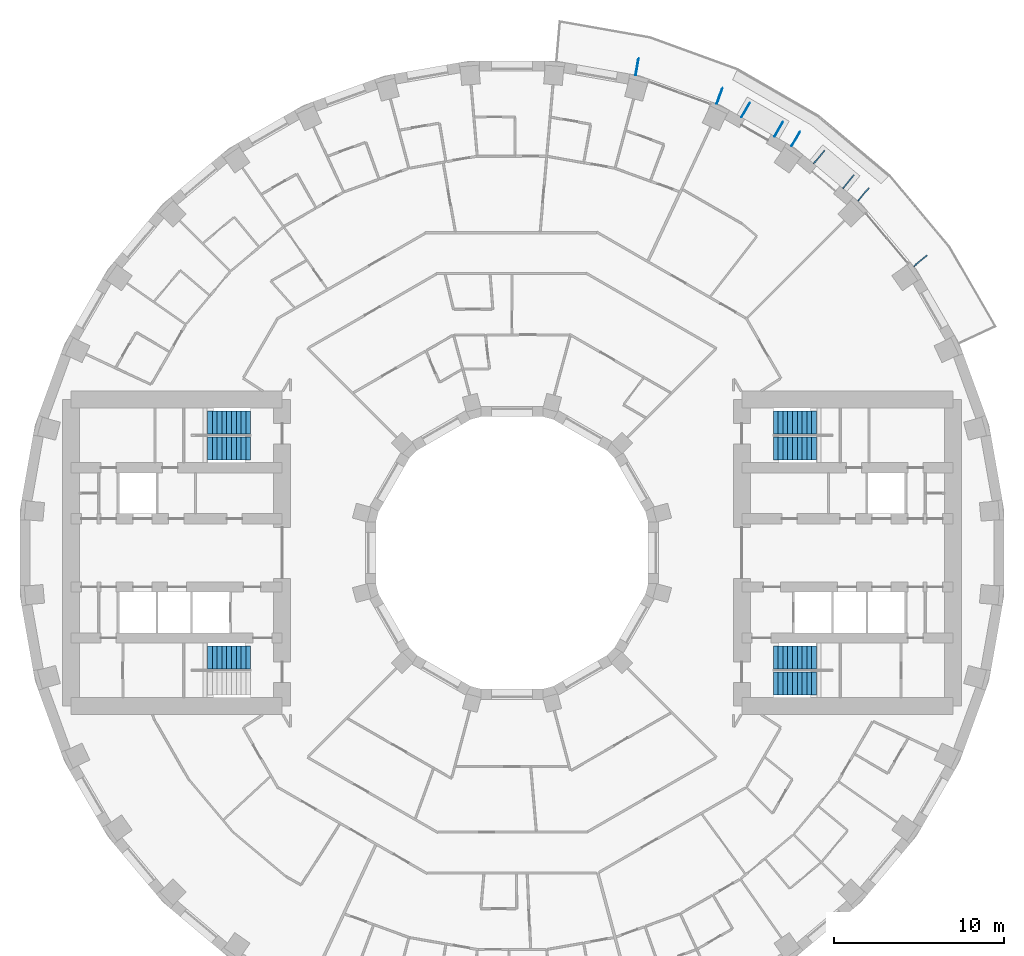
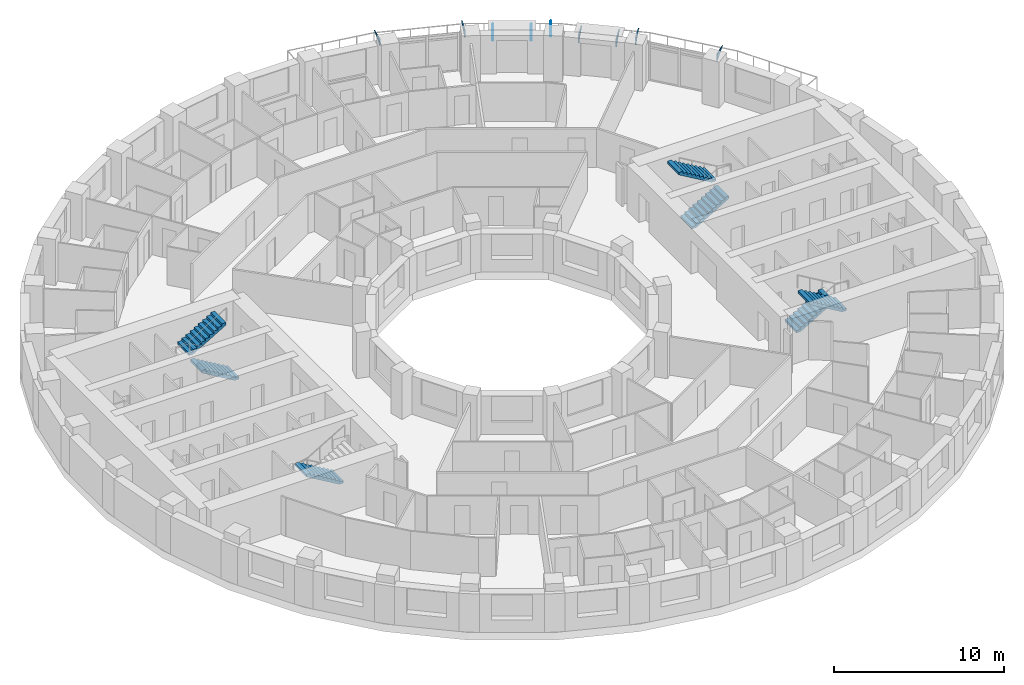
# One storey, part 14 of 15: 9 discrete accessories, 7 stair flights, 4 elements without a shape of their own.
"""IFC4 building model written with IfcOpenShell, lengths in metres."""

import ifcopenshell
import ifcopenshell.guid

model = None  # the IFC model being written
_history = None  # IfcOwnerHistory: only IFC2X3 demands one
_inside = {}  # id of a spatial element -> (the spatial element, [elements in it])
_under = {}  # id of a project, library or spatial element -> (it, [spatial elements below it])
_declared = {}  # id of a project -> (the project, [libraries it declares])
_typed = {}  # id of a type object -> (the type object, [elements of that type])
_made_of = {}  # id of a material, layer set ... -> (it, [elements and type objects made of it])


def new_model(schema):
    """Start an empty IFC model of exactly this schema.

    Asked for "IFC4X3", IfcOpenShell would pick the latest addendum, in which some entities
    have other attributes; the version numbers below select the first issue.
    IFC2X3 requires an IfcOwnerHistory on every rooted entity: one is made here for all.
    """
    global model, _history
    if schema == "IFC4X3":
        model = ifcopenshell.file(schema_version=(4, 3, 0, 0))
    else:
        model = ifcopenshell.file(schema=schema)
    _inside.clear()
    _under.clear()
    _declared.clear()
    _typed.clear()
    _made_of.clear()
    _history = None
    if model.schema == "IFC2X3":
        org = make("IfcOrganization", Name="unknown")
        user = make(
            "IfcPersonAndOrganization",
            ThePerson=make("IfcPerson", FamilyName="unknown"),
            TheOrganization=org,
        )
        app = make(
            "IfcApplication",
            ApplicationDeveloper=org,
            Version="unknown",
            ApplicationFullName="unknown",
            ApplicationIdentifier="unknown",
        )
        _history = make(
            "IfcOwnerHistory",
            OwningUser=user,
            OwningApplication=app,
            ChangeAction="ADDED",
            CreationDate=0,
        )
    return model


def make(cls, **values):
    """One entity of the class cls with the attributes given. An attribute that is None is left unset."""
    return model.create_entity(
        cls, **{name: value for name, value in values.items() if value is not None}
    )


def rooted(cls, **values):
    """An entity with a GlobalId (a new one), such as an element, a storey or a relation."""
    return make(cls, GlobalId=ifcopenshell.guid.new(), OwnerHistory=_history, **values)


def si_unit(unit_type, name, prefix=None):
    """IfcSIUnit, for example si_unit("LENGTHUNIT", "METRE", prefix="MILLI")."""
    return make("IfcSIUnit", UnitType=unit_type, Prefix=prefix, Name=name)


def assignment(units):
    """IfcUnitAssignment: the units of a project."""
    return None if units is None else make("IfcUnitAssignment", Units=units)


def point(xyz):
    """IfcCartesianPoint."""
    return None if xyz is None else make("IfcCartesianPoint", Coordinates=xyz)


def direction(xyz):
    """IfcDirection."""
    return None if xyz is None else make("IfcDirection", DirectionRatios=xyz)


def frame(location, z_axis=None, x_axis=None):
    """IfcAxis2Placement3D, a coordinate frame: its origin and axes. An axis left out is left unset."""
    return make(
        "IfcAxis2Placement3D",
        Location=point(location),
        Axis=direction(z_axis),
        RefDirection=direction(x_axis),
    )


def origin():
    """The frame at (0, 0, 0) with its axes left unset."""
    return frame((0.0, 0.0, 0.0))


def place(relative_to, where):
    """IfcLocalPlacement: puts the frame where relative to a parent placement (None: the world)."""
    return make(
        "IfcLocalPlacement", PlacementRelTo=relative_to, RelativePlacement=where
    )


def context(
    kind, dimensions, precision=None, world=None, true_north=None, identifier=None
):
    """IfcGeometricRepresentationContext, for example the 3D "Model" context."""
    return make(
        "IfcGeometricRepresentationContext",
        ContextIdentifier=identifier,
        ContextType=kind,
        CoordinateSpaceDimension=dimensions,
        Precision=precision,
        WorldCoordinateSystem=world,
        TrueNorth=true_north,
    )


def subcontext(parent, identifier, kind, view, scale=None):
    """IfcGeometricRepresentationSubContext, for example "Body" below "Model"."""
    return make(
        "IfcGeometricRepresentationSubContext",
        ContextIdentifier=identifier,
        ContextType=kind,
        ParentContext=parent,
        TargetScale=scale,
        TargetView=view,
    )


def project(units=None, contexts=None):
    """IfcProject with its units and contexts."""
    return rooted(
        "IfcProject",
        Name="project",
        RepresentationContexts=contexts,
        UnitsInContext=assignment(units),
    )


def spatial(cls, under=None, at=None, **own):
    """A site, building, storey or space (cls), placed at a placement, below another one or the project."""
    s = rooted(cls, ObjectPlacement=at, **own)
    if under is not None:
        _under.setdefault(under.id(), (under, []))[1].append(s)
    return s


def polyline(points):
    """IfcPolyline through the points."""
    return make("IfcPolyline", Points=[point(p) for p in points])


def outline(outer, holes=None, kind="AREA"):
    """IfcArbitraryClosedProfileDef: a profile drawn as a closed curve; with holes, ...WithVoids."""
    if holes is None:
        return make("IfcArbitraryClosedProfileDef", ProfileType=kind, OuterCurve=outer)
    return make(
        "IfcArbitraryProfileDefWithVoids",
        ProfileType=kind,
        OuterCurve=outer,
        InnerCurves=holes,
    )


def extrude(swept, where, along, depth):
    """IfcExtrudedAreaSolid: the profile swept, set in the frame where, extruded along a direction by depth."""
    return make(
        "IfcExtrudedAreaSolid",
        SweptArea=swept,
        Position=where,
        ExtrudedDirection=direction(along),
        Depth=depth,
    )


def shape(context_of_items, identifier, shape_type, items):
    """IfcShapeRepresentation: the items that make up one representation, for example the "Body"."""
    return make(
        "IfcShapeRepresentation",
        ContextOfItems=context_of_items,
        RepresentationIdentifier=identifier,
        RepresentationType=shape_type,
        Items=items,
    )


def material(Name=None, Category=None):
    """IfcMaterial."""
    return make("IfcMaterial", Name=Name, Category=Category)


def layer(
    of_material, thickness, ventilated=None, Name=None, Category=None, Priority=None
):
    """IfcMaterialLayer: one layer of a wall or slab, of a material (None: an air gap)."""
    return make(
        "IfcMaterialLayer",
        Material=of_material,
        LayerThickness=thickness,
        IsVentilated=ventilated,
        Name=Name,
        Category=Category,
        Priority=Priority,
    )


def layer_set(layers, Name=None):
    """IfcMaterialLayerSet."""
    return make("IfcMaterialLayerSet", MaterialLayers=layers, LayerSetName=Name)


def made_of(thing, what):
    """Note that an element or type object is made of a material, layer set ...; save() writes the relation."""
    if what is not None:
        _made_of.setdefault(what.id(), (what, []))[1].append(thing)
    return thing


def type_object(cls, material=None, **own):
    """A type object (cls), such as IfcWallType, which elements share."""
    return made_of(rooted(cls, **own), material)


def element(
    cls,
    number,
    at=None,
    inside=None,
    cuts=None,
    type_object=None,
    material=None,
    context=None,
    identifier="Body",
    shape_type=None,
    held_by="IfcProductDefinitionShape",
    body=None,
    shapes=None,
    **own,
):
    """One element of the class cls, such as IfcWall. Its Tag is "e" and its number.

    at: its placement. inside: the storey or other place that contains it. cuts: it is an
    opening in that element (IfcRelVoidsElement). A single representation is given by context,
    identifier, shape_type and body (its items); several are given by shapes. held_by: the class
    of the entity that holds the representations. save() writes the other relations.
    """
    e = rooted(cls, Tag="e%d" % number, ObjectPlacement=at, **own)
    if body is not None:
        shapes = [shape(context, identifier, shape_type, body)]
    if shapes is not None:
        e.Representation = make(held_by, Representations=shapes)
    if inside is not None:
        _inside.setdefault(inside.id(), (inside, []))[1].append(e)
    if cuts is not None:
        rooted(
            "IfcRelVoidsElement", RelatingBuildingElement=cuts, RelatedOpeningElement=e
        )
    if type_object is not None:
        _typed.setdefault(type_object.id(), (type_object, []))[1].append(e)
    return made_of(e, material)


def aggregate(whole, parts):
    """IfcRelAggregates: a whole, such as a stair, and the parts it consists of."""
    return rooted("IfcRelAggregates", RelatingObject=whole, RelatedObjects=parts)


def save(model, path):
    """Write the relations noted so far, then the file.

    IfcRelAggregates (storeys below a building ...), IfcRelContainedInSpatialStructure (elements
    in a storey), IfcRelDefinesByType, IfcRelAssociatesMaterial and IfcRelDeclares: one each for
    every whole, place, type object, material and project.
    """
    for whole, parts in _under.values():
        aggregate(whole, parts)
    for where, things in _inside.values():
        rooted(
            "IfcRelContainedInSpatialStructure",
            RelatedElements=things,
            RelatingStructure=where,
        )
    for kind, things in _typed.values():
        rooted("IfcRelDefinesByType", RelatedObjects=things, RelatingType=kind)
    for what, things in _made_of.values():
        rooted("IfcRelAssociatesMaterial", RelatedObjects=things, RelatingMaterial=what)
    for by, libraries in _declared.values():
        rooted("IfcRelDeclares", RelatingContext=by, RelatedDefinitions=libraries)
    model.write(path)


model = new_model("IFC4")

# Units and contexts
model_context = context("Model", 3, precision=1e-05, world=origin(), true_north=direction((0.0, 1.0)))
body_context = subcontext(model_context, "Body", "Model", "MODEL_VIEW")
ifc_project = project(units=[si_unit("LENGTHUNIT", "METRE"), si_unit("AREAUNIT", "SQUARE_METRE"), si_unit("VOLUMEUNIT", "CUBIC_METRE"), si_unit("PLANEANGLEUNIT", "RADIAN"), si_unit("MASSUNIT", "GRAM", prefix="KILO")], contexts=[model_context])

# Site, building, storey
site_placement = place(None, origin())
site = spatial("IfcSite", under=ifc_project, at=site_placement, CompositionType="ELEMENT")
building_placement = place(site_placement, origin())
building = spatial("IfcBuilding", under=site, at=building_placement, Name="Saqina Gate Tower", CompositionType="ELEMENT")
storey_placement = place(building_placement, frame((0.0, 0.0, 69.199951171875)))
storey = spatial("IfcBuildingStorey", under=building, at=storey_placement, Name="L19", CompositionType="ELEMENT", Elevation=69.199951171875)

# Stair, stair flights
ifc_material_1 = material(Name="Concrete C40/50", Category="concrete")
stair_type = type_object("IfcStairType", Name="EXIT STAIR", PredefinedType="HALF_TURN_STAIR", material=ifc_material_1)
stair_1_placement = place(storey_placement, origin())
stair_1 = element("IfcStair", 1, at=stair_1_placement, inside=storey, type_object=stair_type, Name="EXIT STAIR 1", PredefinedType="HALF_TURN_STAIR")
ifc_material_2 = material(Name="Concrete C40/50", Category="concrete")
stair_flight_type = type_object("IfcStairFlightType", Name="EXIT STAIR FLIGHT", PredefinedType="STRAIGHT", material=ifc_material_2)
stair_flight_1_placement = place(storey_placement, frame((15.35009765625, 6.1416015625, 0.0), z_axis=(0.0, 0.0, 1.0), x_axis=(1.0, 0.0, 0.0)))
stair_flight_1 = element("IfcStairFlight", 2, at=stair_flight_1_placement, type_object=stair_flight_type, Name="EXIT STAIR 1 FLIGHT 1", NumberOfRisers=10, NumberOfTreads=9, PredefinedType="STRAIGHT", RiserHeight=0.165, TreadLength=0.28, context=body_context, shape_type="SweptSolid", body=[
    extrude(outline(polyline([(0.0, 0.0), (0.0, 0.1650390625), (0.280029296875, 0.1650390625), (0.280029296875, 0.330078125), (0.56005859375, 0.330078125), (0.56005859375, 0.4951171875), (0.840087890625, 0.4951171875), (0.840087890625, 0.659912109375), (1.1201171875, 0.659912109375), (1.1201171875, 0.824951171875), (1.39990234375, 0.824951171875), (1.39990234375, 0.989990234375), (1.679931640625, 0.989990234375), (1.679931640625, 1.155029296875), (1.9599609375, 1.155029296875), (1.9599609375, 1.320068359375), (2.239990234375, 1.320068359375), (2.239990234375, 1.485107421875), (2.52001953125, 1.485107421875), (2.52001953125, 1.64990234375), (2.52001953125, 1.31103515625), (0.295166015625, 0.0), (0.0, 0.0)])), frame((0.0, 0.675048828125, 0.0), z_axis=(0.0, -1.0, 0.0), x_axis=(1.0, 0.0, 0.0)), (0.0, 0.0, 1.0), 1.35009765625),
])
stair_flight_2_placement = place(storey_placement, frame((17.8701171875, 7.658447265625, 1.650146484375), z_axis=(0.0, 0.0, 1.0), x_axis=(-1.0, 0.0, 0.0)))
stair_flight_2 = element("IfcStairFlight", 3, at=stair_flight_2_placement, type_object=stair_flight_type, Name="EXIT STAIR 1 FLIGHT 2", NumberOfRisers=10, NumberOfTreads=9, PredefinedType="STRAIGHT", RiserHeight=0.165, TreadLength=0.28, context=body_context, shape_type="SweptSolid", body=[
    extrude(outline(polyline([(0.0, 0.0), (0.0, 0.1650390625), (0.280029296875, 0.1650390625), (0.280029296875, 0.330078125), (0.56005859375, 0.330078125), (0.56005859375, 0.4951171875), (0.840087890625, 0.4951171875), (0.840087890625, 0.659912109375), (1.1201171875, 0.659912109375), (1.1201171875, 0.824951171875), (1.39990234375, 0.824951171875), (1.39990234375, 0.989990234375), (1.679931640625, 0.989990234375), (1.679931640625, 1.155029296875), (1.9599609375, 1.155029296875), (1.9599609375, 1.320068359375), (2.239990234375, 1.320068359375), (2.239990234375, 1.485107421875), (2.52001953125, 1.485107421875), (2.52001953125, 1.64990234375), (2.52001953125, 1.31103515625), (0.295166015625, 0.0), (0.0, 0.0)])), frame((0.0, 0.675048828125, 0.0), z_axis=(0.0, -1.0, 0.0), x_axis=(1.0, 0.0, 0.0)), (0.0, 0.0, 1.0), 1.35009765625),
])
aggregate(stair_1, [stair_flight_1, stair_flight_2])

stair_2_placement = place(storey_placement, origin())
stair_2 = element("IfcStair", 4, at=stair_2_placement, inside=storey, type_object=stair_type, Name="EXIT STAIR 2", PredefinedType="HALF_TURN_STAIR")
stair_flight_3_placement = place(storey_placement, frame((15.35009765625, -6.1416015625, 0.0), z_axis=(0.0, 0.0, 1.0), x_axis=(1.0, 0.0, 0.0)))
stair_flight_3 = element("IfcStairFlight", 5, at=stair_flight_3_placement, type_object=stair_flight_type, Name="EXIT STAIR 2 FLIGHT 1", NumberOfRisers=10, NumberOfTreads=9, PredefinedType="STRAIGHT", RiserHeight=0.165, TreadLength=0.28, context=body_context, shape_type="SweptSolid", body=[
    extrude(outline(polyline([(0.0, 0.0), (0.0, 0.1650390625), (0.280029296875, 0.1650390625), (0.280029296875, 0.330078125), (0.56005859375, 0.330078125), (0.56005859375, 0.4951171875), (0.840087890625, 0.4951171875), (0.840087890625, 0.659912109375), (1.1201171875, 0.659912109375), (1.1201171875, 0.824951171875), (1.39990234375, 0.824951171875), (1.39990234375, 0.989990234375), (1.679931640625, 0.989990234375), (1.679931640625, 1.155029296875), (1.9599609375, 1.155029296875), (1.9599609375, 1.320068359375), (2.239990234375, 1.320068359375), (2.239990234375, 1.485107421875), (2.52001953125, 1.485107421875), (2.52001953125, 1.64990234375), (2.52001953125, 1.31103515625), (0.295166015625, 0.0), (0.0, 0.0)])), frame((0.0, 0.675048828125, 0.0), z_axis=(0.0, -1.0, 0.0), x_axis=(1.0, 0.0, 0.0)), (0.0, 0.0, 1.0), 1.35009765625),
])
stair_flight_4_placement = place(storey_placement, frame((17.8701171875, -7.658447265625, 1.650146484375), z_axis=(0.0, 0.0, 1.0), x_axis=(-1.0, 0.0, 0.0)))
stair_flight_4 = element("IfcStairFlight", 6, at=stair_flight_4_placement, type_object=stair_flight_type, Name="EXIT STAIR 2 FLIGHT 2", NumberOfRisers=10, NumberOfTreads=9, PredefinedType="STRAIGHT", RiserHeight=0.165, TreadLength=0.28, context=body_context, shape_type="SweptSolid", body=[
    extrude(outline(polyline([(0.0, 0.0), (0.0, 0.1650390625), (0.280029296875, 0.1650390625), (0.280029296875, 0.330078125), (0.56005859375, 0.330078125), (0.56005859375, 0.4951171875), (0.840087890625, 0.4951171875), (0.840087890625, 0.659912109375), (1.1201171875, 0.659912109375), (1.1201171875, 0.824951171875), (1.39990234375, 0.824951171875), (1.39990234375, 0.989990234375), (1.679931640625, 0.989990234375), (1.679931640625, 1.155029296875), (1.9599609375, 1.155029296875), (1.9599609375, 1.320068359375), (2.239990234375, 1.320068359375), (2.239990234375, 1.485107421875), (2.52001953125, 1.485107421875), (2.52001953125, 1.64990234375), (2.52001953125, 1.31103515625), (0.295166015625, 0.0), (0.0, 0.0)])), frame((0.0, 0.675048828125, 0.0), z_axis=(0.0, -1.0, 0.0), x_axis=(1.0, 0.0, 0.0)), (0.0, 0.0, 1.0), 1.35009765625),
])
aggregate(stair_2, [stair_flight_3, stair_flight_4])

stair_3_placement = place(storey_placement, origin())
stair_3 = element("IfcStair", 7, at=stair_3_placement, inside=storey, type_object=stair_type, Name="EXIT STAIR 3", PredefinedType="HALF_TURN_STAIR")
stair_flight_5_placement = place(storey_placement, frame((-15.35009765625, 6.1416015625, 0.0), z_axis=(0.0, 0.0, 1.0), x_axis=(-1.0, 0.0, 0.0)))
stair_flight_5 = element("IfcStairFlight", 8, at=stair_flight_5_placement, type_object=stair_flight_type, Name="EXIT STAIR 3 FLIGHT 1", NumberOfRisers=10, NumberOfTreads=9, PredefinedType="STRAIGHT", RiserHeight=0.165, TreadLength=0.28, context=body_context, shape_type="SweptSolid", body=[
    extrude(outline(polyline([(0.0, 0.0), (0.0, 0.1650390625), (0.280029296875, 0.1650390625), (0.280029296875, 0.330078125), (0.56005859375, 0.330078125), (0.56005859375, 0.4951171875), (0.840087890625, 0.4951171875), (0.840087890625, 0.659912109375), (1.1201171875, 0.659912109375), (1.1201171875, 0.824951171875), (1.39990234375, 0.824951171875), (1.39990234375, 0.989990234375), (1.679931640625, 0.989990234375), (1.679931640625, 1.155029296875), (1.9599609375, 1.155029296875), (1.9599609375, 1.320068359375), (2.239990234375, 1.320068359375), (2.239990234375, 1.485107421875), (2.52001953125, 1.485107421875), (2.52001953125, 1.64990234375), (2.52001953125, 1.31103515625), (0.295166015625, 0.0), (0.0, 0.0)])), frame((0.0, 0.675048828125, 0.0), z_axis=(0.0, -1.0, 0.0), x_axis=(1.0, 0.0, 0.0)), (0.0, 0.0, 1.0), 1.35009765625),
])
stair_flight_6_placement = place(storey_placement, frame((-17.8701171875, 7.658447265625, 1.650146484375), z_axis=(0.0, 0.0, 1.0), x_axis=(1.0, 0.0, 0.0)))
stair_flight_6 = element("IfcStairFlight", 9, at=stair_flight_6_placement, type_object=stair_flight_type, Name="EXIT STAIR 3 FLIGHT 2", NumberOfRisers=10, NumberOfTreads=9, PredefinedType="STRAIGHT", RiserHeight=0.165, TreadLength=0.28, context=body_context, shape_type="SweptSolid", body=[
    extrude(outline(polyline([(0.0, 0.0), (0.0, 0.1650390625), (0.280029296875, 0.1650390625), (0.280029296875, 0.330078125), (0.56005859375, 0.330078125), (0.56005859375, 0.4951171875), (0.840087890625, 0.4951171875), (0.840087890625, 0.659912109375), (1.1201171875, 0.659912109375), (1.1201171875, 0.824951171875), (1.39990234375, 0.824951171875), (1.39990234375, 0.989990234375), (1.679931640625, 0.989990234375), (1.679931640625, 1.155029296875), (1.9599609375, 1.155029296875), (1.9599609375, 1.320068359375), (2.239990234375, 1.320068359375), (2.239990234375, 1.485107421875), (2.52001953125, 1.485107421875), (2.52001953125, 1.64990234375), (2.52001953125, 1.31103515625), (0.295166015625, 0.0), (0.0, 0.0)])), frame((0.0, 0.675048828125, 0.0), z_axis=(0.0, -1.0, 0.0), x_axis=(1.0, 0.0, 0.0)), (0.0, 0.0, 1.0), 1.35009765625),
])
aggregate(stair_3, [stair_flight_5, stair_flight_6])

# Stair, stair flight
stair_4_placement = place(storey_placement, origin())
stair_4 = element("IfcStair", 10, at=stair_4_placement, inside=storey, type_object=stair_type, Name="EXIT STAIR 4", PredefinedType="HALF_TURN_STAIR")
stair_flight_7_placement = place(storey_placement, frame((-15.35009765625, -6.1416015625, 0.0), z_axis=(0.0, 0.0, 1.0), x_axis=(-1.0, 0.0, 0.0)))
stair_flight_7 = element("IfcStairFlight", 11, at=stair_flight_7_placement, type_object=stair_flight_type, Name="EXIT STAIR 4 FLIGHT 1", NumberOfRisers=10, NumberOfTreads=9, PredefinedType="STRAIGHT", RiserHeight=0.165, TreadLength=0.28, context=body_context, shape_type="SweptSolid", body=[
    extrude(outline(polyline([(0.0, 0.0), (0.0, 0.1650390625), (0.280029296875, 0.1650390625), (0.280029296875, 0.330078125), (0.56005859375, 0.330078125), (0.56005859375, 0.4951171875), (0.840087890625, 0.4951171875), (0.840087890625, 0.659912109375), (1.1201171875, 0.659912109375), (1.1201171875, 0.824951171875), (1.39990234375, 0.824951171875), (1.39990234375, 0.989990234375), (1.679931640625, 0.989990234375), (1.679931640625, 1.155029296875), (1.9599609375, 1.155029296875), (1.9599609375, 1.320068359375), (2.239990234375, 1.320068359375), (2.239990234375, 1.485107421875), (2.52001953125, 1.485107421875), (2.52001953125, 1.64990234375), (2.52001953125, 1.31103515625), (0.295166015625, 0.0), (0.0, 0.0)])), frame((0.0, 0.675048828125, 0.0), z_axis=(0.0, -1.0, 0.0), x_axis=(1.0, 0.0, 0.0)), (0.0, 0.0, 1.0), 1.35009765625),
])
aggregate(stair_4, [stair_flight_7])

# Discrete accessories
ifc_material_3 = material(Name="Galvanised steel", Category="steel")
ifc_layer_1 = layer(ifc_material_3, 0.050048828125)
ifc_layer_set_1 = layer_set([ifc_layer_1], Name="BR-AWNING")
discrete_accessory_type_1 = type_object("IfcDiscreteAccessoryType", Name="BR-AWNING", PredefinedType="BRACKET", material=ifc_layer_set_1)
for number, where, z_axis, x_axis, name in (
    (12, (19.410888671875, 21.425048828125, 1.97509765625), (-0.766055819685, 0.64277405138, 0.0), (0.0, 0.0, 1.0), "Awning bracket L19 facet 5"),
    (13, (17.6904296875, 22.86865234375, 1.97509765625), (-0.766055819685, 0.64277405138, 0.0), (0.0, 0.0, 1.0), "Awning bracket L19 facet 5"),
):
    element("IfcDiscreteAccessory", number, at=place(storey_placement, frame(where, z_axis=z_axis, x_axis=x_axis)), inside=storey, type_object=discrete_accessory_type_1, Name=name, PredefinedType="BRACKET", context=body_context, shape_type="SweptSolid", body=[
        extrude(outline(polyline([(0.0, 0.0), (0.550048828125, 0.0), (0.550048828125, 1.0000750096322273), (0.0, 0.0)])), origin(), (0.0, 0.0, -1.0), 0.050048828125),
    ])
discrete_accessory_1_placement = place(storey_placement, frame((15.395751953125, 24.47021484375, 1.97509765625), z_axis=(-0.866010750942, 0.50002537861, 0.0), x_axis=(0.0, 0.0, 1.0)))
element("IfcDiscreteAccessory", 14, at=discrete_accessory_1_placement, inside=storey, type_object=discrete_accessory_type_1, Name="Awning bracket L19 facet 6", PredefinedType="BRACKET", context=body_context, shape_type="SweptSolid", body=[
    extrude(outline(polyline([(0.0, 0.0), (0.550048828125, 0.0), (0.550048828125, 0.9999492453569568), (0.0, 0.0)])), origin(), (0.0, 0.0, -1.0), 0.050048828125),
])
discrete_accessory_2_placement = place(storey_placement, frame((13.45068359375, 25.593017578125, 1.97509765625), z_axis=(-0.866071776036, 0.499919672301, 0.0), x_axis=(0.0, 0.0, 1.0)))
element("IfcDiscreteAccessory", 15, at=discrete_accessory_2_placement, inside=storey, type_object=discrete_accessory_type_1, Name="Awning bracket L19 facet 6", PredefinedType="BRACKET", context=body_context, shape_type="SweptSolid", body=[
    extrude(outline(polyline([(0.0, 0.0), (0.550048828125, 0.0), (0.550048828125, 1.0001606812130883), (0.0, 0.0)])), origin(), (0.0, 0.0, -1.0), 0.050048828125),
])
ifc_material_4 = material(Name="Galvanised steel", Category="steel")
ifc_layer_2 = layer(ifc_material_4, 0.050048828125)
ifc_layer_set_2 = layer_set([ifc_layer_2], Name="BR-GUSSET")
discrete_accessory_type_2 = type_object("IfcDiscreteAccessoryType", Name="BR-GUSSET", PredefinedType="BRACKET", material=ifc_layer_set_2)
for number, where, z_axis, x_axis, name in (
    (16, (23.57861328125, 16.844482421875, 2.25), (-0.64277405138, 0.766055819685, 0.0), (0.0, 0.0, 1.0), "Terrace slab bracket L20 1"),
    (17, (20.29541015625, 20.682861328125, 2.25), (-0.766055819685, 0.64277405138, 0.0), (0.0, 0.0, 1.0), "Terrace slab bracket L20 2"),
):
    element("IfcDiscreteAccessory", number, at=place(storey_placement, frame(where, z_axis=z_axis, x_axis=x_axis)), inside=storey, type_object=discrete_accessory_type_2, Name=name, PredefinedType="BRACKET", context=body_context, shape_type="SweptSolid", body=[
        extrude(outline(polyline([(0.0, 0.0), (0.5, 0.0), (0.5, 1.0000750096322275), (0.0, 0.0)])), origin(), (0.0, 0.0, -1.0), 0.050048828125),
    ])
discrete_accessory_3_placement = place(storey_placement, frame((16.3955078125, 23.892822265625, 2.25), z_axis=(-0.866010750942, 0.50002537861, 0.0), x_axis=(0.0, 0.0, 1.0)))
element("IfcDiscreteAccessory", 18, at=discrete_accessory_3_placement, inside=storey, type_object=discrete_accessory_type_2, Name="Terrace slab bracket L20 3", PredefinedType="BRACKET", context=body_context, shape_type="SweptSolid", body=[
    extrude(outline(polyline([(0.0, 0.0), (0.5, 0.0), (0.5, 0.9999492453569568), (0.0, 0.0)])), origin(), (0.0, 0.0, -1.0), 0.050048828125),
])
discrete_accessory_4_placement = place(storey_placement, frame((11.99755859375, 26.376953125, 2.25), z_axis=(-0.939686455819, 0.342037080957, 0.0), x_axis=(0.0, 0.0, 1.0)))
element("IfcDiscreteAccessory", 19, at=discrete_accessory_4_placement, inside=storey, type_object=discrete_accessory_type_2, Name="Terrace slab bracket L20 4", PredefinedType="BRACKET", context=body_context, shape_type="SweptSolid", body=[
    extrude(outline(polyline([(0.0, 0.0), (0.5, 0.0), (0.5, 1.000011503630275), (0.0, 0.0)])), origin(), (0.0, 0.0, -1.0), 0.050048828125),
])
discrete_accessory_5_placement = place(storey_placement, frame((7.23486328125, 28.0595703125, 2.25), z_axis=(-0.984778643263, 0.173813186416, 0.0), x_axis=(0.0, 0.0, 1.0)))
element("IfcDiscreteAccessory", 20, at=discrete_accessory_5_placement, inside=storey, type_object=discrete_accessory_type_2, Name="Terrace slab bracket L20 5", PredefinedType="BRACKET", context=body_context, shape_type="SweptSolid", body=[
    extrude(outline(polyline([(0.0, 0.0), (0.5, 0.0), (0.5, 1.000085946204391), (0.0, 0.0)])), origin(), (0.0, 0.0, -1.0), 0.050048828125),
])

save(model, "model.ifc")
